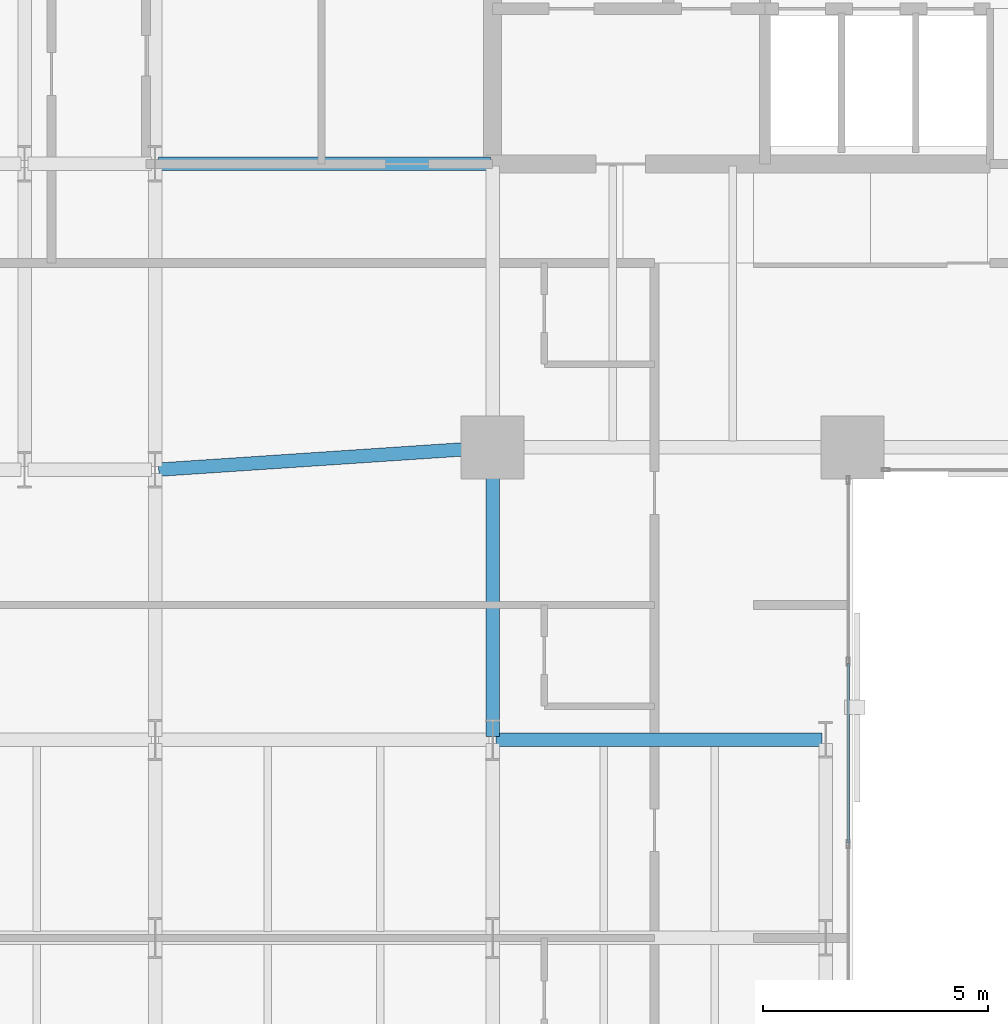
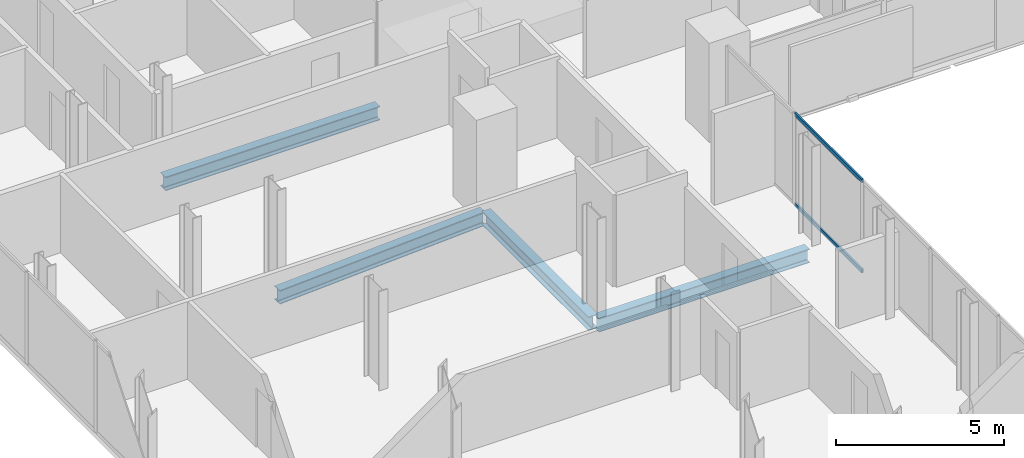
# One storey, part 12 of 33: 4 beams, 2 members, 1 element without a shape of its own.
"""IFC4 building model written with IfcOpenShell, lengths in metres."""

from ifc_helpers import new_model, si_unit, direction, frame, origin, origin_2d, place, context, subcontext, project, spatial, hollow_rectangle, i_section, extrude, material, layer, layer_set, material_profile, profile_set, type_object, element, aggregate, save


model = new_model("IFC4")

# Units and contexts
model_context = context("Model", 3, precision=1e-05, world=origin(), true_north=direction((0.0, 1.0)))
body_context = subcontext(model_context, "Body", "Model", "MODEL_VIEW")
ifc_project = project(units=[si_unit("LENGTHUNIT", "METRE"), si_unit("AREAUNIT", "SQUARE_METRE"), si_unit("VOLUMEUNIT", "CUBIC_METRE"), si_unit("PLANEANGLEUNIT", "RADIAN"), si_unit("MASSUNIT", "GRAM", prefix="KILO")], contexts=[model_context])

# Site, building, storey
site_placement = place(None, origin())
site = spatial("IfcSite", under=ifc_project, at=site_placement, CompositionType="ELEMENT")
building_placement = place(site_placement, origin())
building = spatial("IfcBuilding", under=site, at=building_placement, Name="Catumbela Crestline Tower", CompositionType="ELEMENT")
storey_placement = place(building_placement, frame((0.0, 0.0, 54.6)))
storey = spatial("IfcBuildingStorey", under=building, at=storey_placement, Name="L13", CompositionType="ELEMENT", Elevation=54.6)

# Beams
ifc_material_1 = material(Name="Structural steel S355J2", Category="steel")
ifc_material_profile_1 = material_profile(ifc_material_1, i_section(OverallWidth=0.3, OverallDepth=0.5, WebThickness=0.0145, FlangeThickness=0.028, FilletRadius=0.027, at=origin_2d()), Name="HEB 500")
ifc_profile_set_1 = profile_set([ifc_material_profile_1], Name="Structural steel S355J2")
beam_type = type_object("IfcBeamType", Name="BG-HEB500", PredefinedType="BEAM", material=ifc_profile_set_1)
beam_1_placement = place(storey_placement, frame((8.5798, 24.0053, -0.51), z_axis=(0.997784796964, 0.066524423687, 0.0), x_axis=(-0.066524423687, 0.997784796964, 0.0)))
element("IfcBeam", 1, at=beam_1_placement, inside=storey, type_object=beam_type, Name="L13 Beam BM-L13-S03", PredefinedType="BEAM", context=body_context, shape_type="SweptSolid", body=[
    extrude(i_section(OverallWidth=0.3, OverallDepth=0.5, WebThickness=0.0145, FlangeThickness=0.028, FilletRadius=0.027, at=origin_2d()), origin(), (0.0, 0.0, 1.0), 7.3567),
])
beam_2_placement = place(storey_placement, frame((8.58, 30.8, -0.51), z_axis=(1.0, 0.0, 0.0), x_axis=(0.0, 1.0, 0.0)))
element("IfcBeam", 2, at=beam_2_placement, inside=storey, type_object=beam_type, Name="L13 Beam BM-L13-M09", PredefinedType="BEAM", context=body_context, shape_type="SweptSolid", body=[
    extrude(i_section(OverallWidth=0.3, OverallDepth=0.5, WebThickness=0.0145, FlangeThickness=0.028, FilletRadius=0.027, at=origin_2d()), origin(), (0.0, 0.0, 1.0), 7.37),
])
beam_3_placement = place(storey_placement, frame((16.08, 18.0, -0.51), z_axis=(1.0, 0.0, 0.0), x_axis=(0.0, 1.0, 0.0)))
element("IfcBeam", 3, at=beam_3_placement, inside=storey, type_object=beam_type, Name="L13 Beam BM-L13-WEW56", PredefinedType="BEAM", context=body_context, shape_type="SweptSolid", body=[
    extrude(i_section(OverallWidth=0.3, OverallDepth=0.5, WebThickness=0.0145, FlangeThickness=0.028, FilletRadius=0.027, at=origin_2d()), origin(), (0.0, 0.0, 1.0), 7.24),
])
beam_4_placement = place(storey_placement, frame((16.0, 18.08, -0.51), z_axis=(0.0, 1.0, 0.0), x_axis=(-1.0, 0.0, 0.0)))
element("IfcBeam", 4, at=beam_4_placement, inside=storey, type_object=beam_type, Name="L13 Beam BM-L13-WNS67", PredefinedType="BEAM", context=body_context, shape_type="SweptSolid", body=[
    extrude(i_section(OverallWidth=0.3, OverallDepth=0.5, WebThickness=0.0145, FlangeThickness=0.028, FilletRadius=0.027, at=origin_2d()), origin(), (0.0, 0.0, 1.0), 6.34),
])

# Curtain wall, members
ifc_material_2 = material(Name="Aluminium alloy AW-6060-T66", Category="aluminium")
ifc_layer = layer(ifc_material_2, 0.18, Name="Aluminium alloy AW-6060-T66")
ifc_layer_set = layer_set([ifc_layer], Name="Aluminium alloy AW-6060-T66")
curtain_wall_type = type_object("IfcCurtainWallType", Name="CWU-Z1", PredefinedType="USERDEFINED", material=ifc_layer_set)
curtain_wall_placement = place(storey_placement, origin())
curtain_wall = element("IfcCurtainWall", 5, at=curtain_wall_placement, inside=storey, type_object=curtain_wall_type, Name="L13 Unitised Curtain Wall CW-L13-E2S1", ObjectType="UNITISED", PredefinedType="USERDEFINED")
ifc_material_profile_2 = material_profile(ifc_material_2, hollow_rectangle(XDim=0.06, YDim=0.14, WallThickness=0.004, at=origin_2d()), Name="ALU 140x60x4")
ifc_profile_set_2 = profile_set([ifc_material_profile_2], Name="Aluminium alloy AW-6060-T66")
member_type = type_object("IfcMemberType", Name="TRN-140X60", PredefinedType="USERDEFINED", material=ifc_profile_set_2)
member_1_placement = place(storey_placement, frame((23.9, 15.7125, 0.03), z_axis=(0.0, 1.0, 0.0), x_axis=(-1.0, 0.0, 0.0)))
member_1 = element("IfcMember", 6, at=member_1_placement, type_object=member_type, Name="CWU-Z1 transom 4.1", ObjectType="TRANSOM", PredefinedType="USERDEFINED", context=body_context, shape_type="SweptSolid", body=[
    extrude(hollow_rectangle(XDim=0.06, YDim=0.14, WallThickness=0.004, at=origin_2d()), origin(), (0.0, 0.0, 1.0), 3.995),
])
member_2_placement = place(storey_placement, frame((23.9, 15.7125, 3.3), z_axis=(0.0, 1.0, 0.0), x_axis=(-1.0, 0.0, 0.0)))
member_2 = element("IfcMember", 7, at=member_2_placement, type_object=member_type, Name="CWU-Z1 transom 4.2", ObjectType="TRANSOM", PredefinedType="USERDEFINED", context=body_context, shape_type="SweptSolid", body=[
    extrude(hollow_rectangle(XDim=0.06, YDim=0.14, WallThickness=0.004, at=origin_2d()), origin(), (0.0, 0.0, 1.0), 3.995),
])
aggregate(curtain_wall, [member_1, member_2])

save(model, "model.ifc")
